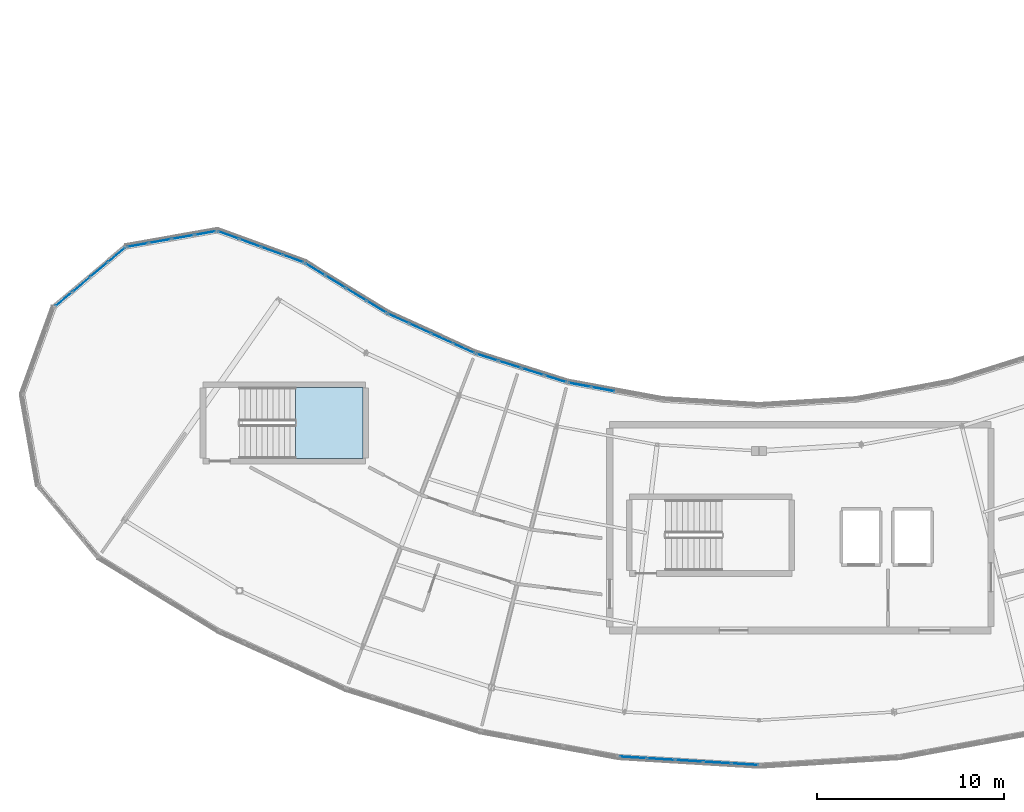
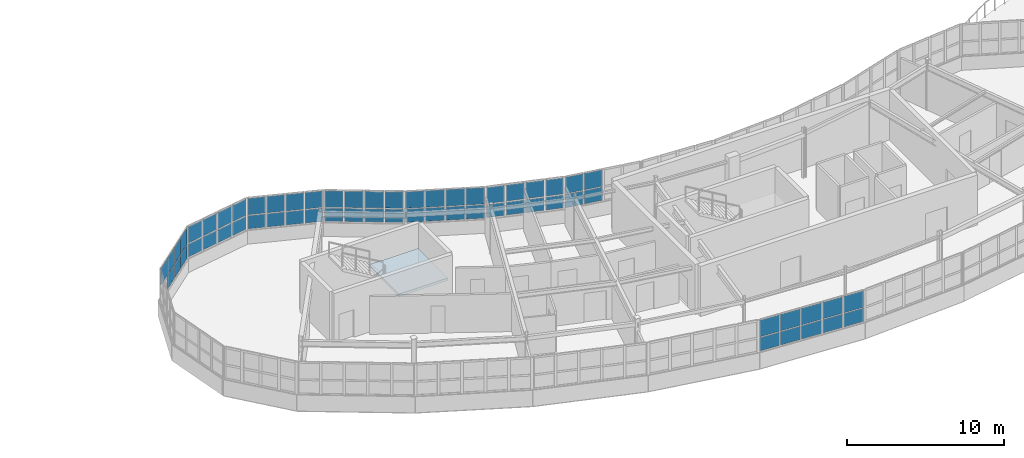
# One storey, part 37 of 65: 61 plates, 1 slab, 9 elements without a shape of their own.
"""IFC4 building model written with IfcOpenShell, lengths in metres."""

from ifc_helpers import new_model, si_unit, direction, frame, origin, origin_2d, place, context, subcontext, project, spatial, polyline, rectangle, outline, extrude, material, layer, layer_set, type_object, element, aggregate, save


model = new_model("IFC4")

# Units and contexts
model_context = context("Model", 3, precision=1e-05, world=origin(), true_north=direction((0.0, 1.0)))
body_context = subcontext(model_context, "Body", "Model", "MODEL_VIEW")
ifc_project = project(units=[si_unit("LENGTHUNIT", "METRE"), si_unit("AREAUNIT", "SQUARE_METRE"), si_unit("VOLUMEUNIT", "CUBIC_METRE"), si_unit("PLANEANGLEUNIT", "RADIAN"), si_unit("MASSUNIT", "GRAM", prefix="KILO")], contexts=[model_context])

# Site, building, storey
site_placement = place(None, origin())
site = spatial("IfcSite", under=ifc_project, at=site_placement, CompositionType="ELEMENT")
building_placement = place(site_placement, origin())
building = spatial("IfcBuilding", under=site, at=building_placement, Name="Tarnwether General Hospital", CompositionType="ELEMENT")
storey_placement = place(building_placement, frame((0.0, 0.0, 22.199951171875)))
storey = spatial("IfcBuildingStorey", under=building, at=storey_placement, Name="L05", CompositionType="ELEMENT", Elevation=22.199951171875)

# Curtain wall, plates
ifc_material_1 = material(Name="Anodised aluminium", Category="aluminium")
ifc_layer_1 = layer(ifc_material_1, 0.159912109375)
ifc_layer_set_1 = layer_set([ifc_layer_1], Name="Anodised aluminium")
curtain_wall_type_1 = type_object("IfcCurtainWallType", Name="CW-10", PredefinedType="NOTDEFINED", material=ifc_layer_set_1)
curtain_wall_1_placement = place(storey_placement, origin())
curtain_wall_1 = element("IfcCurtainWall", 1, at=curtain_wall_1_placement, inside=storey, type_object=curtain_wall_type_1, Name="Curtain Wall CWG-L05-920_14-0222", PredefinedType="NOTDEFINED")
ifc_material_2 = material(Name="Double glazed low-E glass", Category="glass")
ifc_layer_2 = layer(ifc_material_2, 0.028076171875)
ifc_layer_set_2 = layer_set([ifc_layer_2], Name="Double glazed low-E glass")
plate_type_1 = type_object("IfcPlateType", Name="PT-CWP1", PredefinedType="CURTAIN_PANEL", material=ifc_layer_set_2)
plate_1_placement = place(storey_placement, frame((91.234375, 1.44677734375, 1.110107421875), z_axis=(0.0, 0.0, 1.0), x_axis=(-0.998135995608, 0.061028962567, 0.0)))
plate_1 = element("IfcPlate", 2, at=plate_1_placement, type_object=plate_type_1, Name="CW-10 panel 1.1", PredefinedType="CURTAIN_PANEL", context=body_context, shape_type="SweptSolid", body=[
    extrude(rectangle(XDim=1.414306640625, YDim=0.028076171875, at=origin_2d()), origin(), (0.0, 0.0, 1.0), 1.03955078125),
])
plate_2_placement = place(storey_placement, frame((91.234375, 1.44677734375, 2.20947265625), z_axis=(0.0, 0.0, 1.0), x_axis=(-0.998135995608, 0.061028962567, 0.0)))
plate_2 = element("IfcPlate", 3, at=plate_2_placement, type_object=plate_type_1, Name="CW-10 panel 1.2", PredefinedType="CURTAIN_PANEL", context=body_context, shape_type="SweptSolid", body=[
    extrude(rectangle(XDim=1.414306640625, YDim=0.028076171875, at=origin_2d()), origin(), (0.0, 0.0, 1.0), 1.29052734375),
])
plate_3_placement = place(storey_placement, frame((89.747802734375, 1.53759765625, 1.110107421875), z_axis=(0.0, 0.0, 1.0), x_axis=(-0.998135995608, 0.061028962567, 0.0)))
plate_3 = element("IfcPlate", 4, at=plate_3_placement, type_object=plate_type_1, Name="CW-10 panel 2.1", PredefinedType="CURTAIN_PANEL", context=body_context, shape_type="SweptSolid", body=[
    extrude(rectangle(XDim=1.444091796875, YDim=0.028076171875, at=origin_2d()), origin(), (0.0, 0.0, 1.0), 1.03955078125),
])
plate_4_placement = place(storey_placement, frame((89.747802734375, 1.53759765625, 2.20947265625), z_axis=(0.0, 0.0, 1.0), x_axis=(-0.998135995608, 0.061028962567, 0.0)))
plate_4 = element("IfcPlate", 5, at=plate_4_placement, type_object=plate_type_1, Name="CW-10 panel 2.2", PredefinedType="CURTAIN_PANEL", context=body_context, shape_type="SweptSolid", body=[
    extrude(rectangle(XDim=1.444091796875, YDim=0.028076171875, at=origin_2d()), origin(), (0.0, 0.0, 1.0), 1.29052734375),
])
plate_5_placement = place(storey_placement, frame((88.24658203125, 1.62939453125, 1.110107421875), z_axis=(0.0, 0.0, 1.0), x_axis=(-0.998135995608, 0.061028962567, 0.0)))
plate_5 = element("IfcPlate", 6, at=plate_5_placement, type_object=plate_type_1, Name="CW-10 panel 3.1", PredefinedType="CURTAIN_PANEL", context=body_context, shape_type="SweptSolid", body=[
    extrude(rectangle(XDim=1.444091796875, YDim=0.028076171875, at=origin_2d()), origin(), (0.0, 0.0, 1.0), 1.03955078125),
])
plate_6_placement = place(storey_placement, frame((88.24658203125, 1.62939453125, 2.20947265625), z_axis=(0.0, 0.0, 1.0), x_axis=(-0.998135995608, 0.061028962567, 0.0)))
plate_6 = element("IfcPlate", 7, at=plate_6_placement, type_object=plate_type_1, Name="CW-10 panel 3.2", PredefinedType="CURTAIN_PANEL", context=body_context, shape_type="SweptSolid", body=[
    extrude(rectangle(XDim=1.444091796875, YDim=0.028076171875, at=origin_2d()), origin(), (0.0, 0.0, 1.0), 1.29052734375),
])
plate_7_placement = place(storey_placement, frame((86.7451171875, 1.72119140625, 1.110107421875), z_axis=(0.0, 0.0, 1.0), x_axis=(-0.998135995608, 0.061028962567, 0.0)))
plate_7 = element("IfcPlate", 8, at=plate_7_placement, type_object=plate_type_1, Name="CW-10 panel 4.1", PredefinedType="CURTAIN_PANEL", context=body_context, shape_type="SweptSolid", body=[
    extrude(rectangle(XDim=1.444091796875, YDim=0.028076171875, at=origin_2d()), origin(), (0.0, 0.0, 1.0), 1.03955078125),
])
plate_8_placement = place(storey_placement, frame((86.7451171875, 1.72119140625, 2.20947265625), z_axis=(0.0, 0.0, 1.0), x_axis=(-0.998135995608, 0.061028962567, 0.0)))
plate_8 = element("IfcPlate", 9, at=plate_8_placement, type_object=plate_type_1, Name="CW-10 panel 4.2", PredefinedType="CURTAIN_PANEL", context=body_context, shape_type="SweptSolid", body=[
    extrude(rectangle(XDim=1.444091796875, YDim=0.028076171875, at=origin_2d()), origin(), (0.0, 0.0, 1.0), 1.29052734375),
])
plate_9_placement = place(storey_placement, frame((85.2587890625, 1.812255859375, 1.110107421875), z_axis=(0.0, 0.0, 1.0), x_axis=(-0.998135995608, 0.061028962567, 0.0)))
plate_9 = element("IfcPlate", 10, at=plate_9_placement, type_object=plate_type_1, Name="CW-10 panel 5.1", PredefinedType="CURTAIN_PANEL", context=body_context, shape_type="SweptSolid", body=[
    extrude(rectangle(XDim=1.414306640625, YDim=0.028076171875, at=origin_2d()), origin(), (0.0, 0.0, 1.0), 1.03955078125),
])
plate_10_placement = place(storey_placement, frame((85.2587890625, 1.812255859375, 2.20947265625), z_axis=(0.0, 0.0, 1.0), x_axis=(-0.998135995608, 0.061028962567, 0.0)))
plate_10 = element("IfcPlate", 11, at=plate_10_placement, type_object=plate_type_1, Name="CW-10 panel 5.2", PredefinedType="CURTAIN_PANEL", context=body_context, shape_type="SweptSolid", body=[
    extrude(rectangle(XDim=1.414306640625, YDim=0.028076171875, at=origin_2d()), origin(), (0.0, 0.0, 1.0), 1.29052734375),
])
aggregate(curtain_wall_1, [plate_1, plate_2, plate_3, plate_4, plate_5, plate_6, plate_7, plate_8, plate_9, plate_10])

ifc_material_3 = material(Name="Anodised aluminium", Category="aluminium")
ifc_layer_3 = layer(ifc_material_3, 0.159912109375)
ifc_layer_set_3 = layer_set([ifc_layer_3], Name="Anodised aluminium")
curtain_wall_type_2 = type_object("IfcCurtainWallType", Name="CW-04", PredefinedType="NOTDEFINED", material=ifc_layer_set_3)
curtain_wall_2_placement = place(storey_placement, origin())
curtain_wall_2 = element("IfcCurtainWall", 12, at=curtain_wall_2_placement, inside=storey, type_object=curtain_wall_type_2, Name="Curtain Wall CWG-L05-768_234-0236", PredefinedType="NOTDEFINED")
plate_11_placement = place(storey_placement, frame((77.44140625, 23.21533203125, 1.1298828125), z_axis=(0.0, 0.0, 1.0), x_axis=(0.953713927508, -0.30071538783, 0.0)))
plate_11 = element("IfcPlate", 13, at=plate_11_placement, type_object=plate_type_1, Name="CW-04 panel 1.1", PredefinedType="CURTAIN_PANEL", context=body_context, shape_type="SweptSolid", body=[
    extrude(rectangle(XDim=1.17431640625, YDim=0.028076171875, at=origin_2d()), origin(), (0.0, 0.0, 1.0), 1.009521484375),
])
plate_12_placement = place(storey_placement, frame((77.44140625, 23.21533203125, 2.2197265625), z_axis=(0.0, 0.0, 1.0), x_axis=(0.953713927508, -0.30071538783, 0.0)))
plate_12 = element("IfcPlate", 14, at=plate_12_placement, type_object=plate_type_1, Name="CW-04 panel 1.2", PredefinedType="CURTAIN_PANEL", context=body_context, shape_type="SweptSolid", body=[
    extrude(rectangle(XDim=1.17431640625, YDim=0.028076171875, at=origin_2d()), origin(), (0.0, 0.0, 1.0), 1.260498046875),
])
plate_13_placement = place(storey_placement, frame((78.65673828125, 22.83203125, 1.1298828125), z_axis=(0.0, 0.0, 1.0), x_axis=(0.953713927508, -0.30071538783, 0.0)))
plate_13 = element("IfcPlate", 15, at=plate_13_placement, type_object=plate_type_1, Name="CW-04 panel 2.1", PredefinedType="CURTAIN_PANEL", context=body_context, shape_type="SweptSolid", body=[
    extrude(rectangle(XDim=1.21435546875, YDim=0.028076171875, at=origin_2d()), origin(), (0.0, 0.0, 1.0), 1.009521484375),
])
plate_14_placement = place(storey_placement, frame((78.65673828125, 22.83203125, 2.2197265625), z_axis=(0.0, 0.0, 1.0), x_axis=(0.953713927508, -0.30071538783, 0.0)))
plate_14 = element("IfcPlate", 16, at=plate_14_placement, type_object=plate_type_1, Name="CW-04 panel 2.2", PredefinedType="CURTAIN_PANEL", context=body_context, shape_type="SweptSolid", body=[
    extrude(rectangle(XDim=1.21435546875, YDim=0.028076171875, at=origin_2d()), origin(), (0.0, 0.0, 1.0), 1.260498046875),
])
plate_15_placement = place(storey_placement, frame((79.891357421875, 22.44287109375, 1.1298828125), z_axis=(0.0, 0.0, 1.0), x_axis=(0.953713927508, -0.30071538783, 0.0)))
plate_15 = element("IfcPlate", 17, at=plate_15_placement, type_object=plate_type_1, Name="CW-04 panel 3.1", PredefinedType="CURTAIN_PANEL", context=body_context, shape_type="SweptSolid", body=[
    extrude(rectangle(XDim=1.21435546875, YDim=0.028076171875, at=origin_2d()), origin(), (0.0, 0.0, 1.0), 1.009521484375),
])
plate_16_placement = place(storey_placement, frame((79.891357421875, 22.44287109375, 2.2197265625), z_axis=(0.0, 0.0, 1.0), x_axis=(0.953713927508, -0.30071538783, 0.0)))
plate_16 = element("IfcPlate", 18, at=plate_16_placement, type_object=plate_type_1, Name="CW-04 panel 3.2", PredefinedType="CURTAIN_PANEL", context=body_context, shape_type="SweptSolid", body=[
    extrude(rectangle(XDim=1.21435546875, YDim=0.028076171875, at=origin_2d()), origin(), (0.0, 0.0, 1.0), 1.260498046875),
])
plate_17_placement = place(storey_placement, frame((81.106689453125, 22.0595703125, 1.1298828125), z_axis=(0.0, 0.0, 1.0), x_axis=(0.953713927508, -0.30071538783, 0.0)))
plate_17 = element("IfcPlate", 19, at=plate_17_placement, type_object=plate_type_1, Name="CW-04 panel 4.1", PredefinedType="CURTAIN_PANEL", context=body_context, shape_type="SweptSolid", body=[
    extrude(rectangle(XDim=1.17431640625, YDim=0.028076171875, at=origin_2d()), origin(), (0.0, 0.0, 1.0), 1.009521484375),
])
plate_18_placement = place(storey_placement, frame((81.106689453125, 22.0595703125, 2.2197265625), z_axis=(0.0, 0.0, 1.0), x_axis=(0.953713927508, -0.30071538783, 0.0)))
plate_18 = element("IfcPlate", 20, at=plate_18_placement, type_object=plate_type_1, Name="CW-04 panel 4.2", PredefinedType="CURTAIN_PANEL", context=body_context, shape_type="SweptSolid", body=[
    extrude(rectangle(XDim=1.17431640625, YDim=0.028076171875, at=origin_2d()), origin(), (0.0, 0.0, 1.0), 1.260498046875),
])
aggregate(curtain_wall_2, [plate_11, plate_12, plate_13, plate_14, plate_15, plate_16, plate_17, plate_18])

curtain_wall_3_placement = place(storey_placement, origin())
curtain_wall_3 = element("IfcCurtainWall", 21, at=curtain_wall_3_placement, inside=storey, type_object=curtain_wall_type_2, Name="Curtain Wall CWG-L05-721_256-0237", PredefinedType="NOTDEFINED")
plate_19_placement = place(storey_placement, frame((72.696533203125, 25.288330078125, 1.110107421875), z_axis=(0.0, 0.0, 1.0), x_axis=(0.90995590549, -0.41470501572, 0.0)))
plate_19 = element("IfcPlate", 22, at=plate_19_placement, type_object=plate_type_1, Name="CW-04 panel 1.1", PredefinedType="CURTAIN_PANEL", context=body_context, shape_type="SweptSolid", body=[
    extrude(rectangle(XDim=1.204345703125, YDim=0.028076171875, at=origin_2d()), origin(), (0.0, 0.0, 1.0), 1.03955078125),
])
plate_20_placement = place(storey_placement, frame((72.696533203125, 25.288330078125, 2.20947265625), z_axis=(0.0, 0.0, 1.0), x_axis=(0.90995590549, -0.41470501572, 0.0)))
plate_20 = element("IfcPlate", 23, at=plate_20_placement, type_object=plate_type_1, Name="CW-04 panel 1.2", PredefinedType="CURTAIN_PANEL", context=body_context, shape_type="SweptSolid", body=[
    extrude(rectangle(XDim=1.204345703125, YDim=0.028076171875, at=origin_2d()), origin(), (0.0, 0.0, 1.0), 1.29052734375),
])
plate_21_placement = place(storey_placement, frame((73.860595703125, 24.7578125, 1.110107421875), z_axis=(0.0, 0.0, 1.0), x_axis=(0.90995590549, -0.41470501572, 0.0)))
plate_21 = element("IfcPlate", 24, at=plate_21_placement, type_object=plate_type_1, Name="CW-04 panel 2.1", PredefinedType="CURTAIN_PANEL", context=body_context, shape_type="SweptSolid", body=[
    extrude(rectangle(XDim=1.234375, YDim=0.028076171875, at=origin_2d()), origin(), (0.0, 0.0, 1.0), 1.03955078125),
])
plate_22_placement = place(storey_placement, frame((73.860595703125, 24.7578125, 2.20947265625), z_axis=(0.0, 0.0, 1.0), x_axis=(0.90995590549, -0.41470501572, 0.0)))
plate_22 = element("IfcPlate", 25, at=plate_22_placement, type_object=plate_type_1, Name="CW-04 panel 2.2", PredefinedType="CURTAIN_PANEL", context=body_context, shape_type="SweptSolid", body=[
    extrude(rectangle(XDim=1.234375, YDim=0.028076171875, at=origin_2d()), origin(), (0.0, 0.0, 1.0), 1.29052734375),
])
plate_23_placement = place(storey_placement, frame((75.038330078125, 24.22119140625, 1.110107421875), z_axis=(0.0, 0.0, 1.0), x_axis=(0.90995590549, -0.41470501572, 0.0)))
plate_23 = element("IfcPlate", 26, at=plate_23_placement, type_object=plate_type_1, Name="CW-04 panel 3.1", PredefinedType="CURTAIN_PANEL", context=body_context, shape_type="SweptSolid", body=[
    extrude(rectangle(XDim=1.234375, YDim=0.028076171875, at=origin_2d()), origin(), (0.0, 0.0, 1.0), 1.03955078125),
])
plate_24_placement = place(storey_placement, frame((75.038330078125, 24.22119140625, 2.20947265625), z_axis=(0.0, 0.0, 1.0), x_axis=(0.90995590549, -0.41470501572, 0.0)))
plate_24 = element("IfcPlate", 27, at=plate_24_placement, type_object=plate_type_1, Name="CW-04 panel 3.2", PredefinedType="CURTAIN_PANEL", context=body_context, shape_type="SweptSolid", body=[
    extrude(rectangle(XDim=1.234375, YDim=0.028076171875, at=origin_2d()), origin(), (0.0, 0.0, 1.0), 1.29052734375),
])
plate_25_placement = place(storey_placement, frame((76.202392578125, 23.690673828125, 1.110107421875), z_axis=(0.0, 0.0, 1.0), x_axis=(0.90995590549, -0.41470501572, 0.0)))
plate_25 = element("IfcPlate", 28, at=plate_25_placement, type_object=plate_type_1, Name="CW-04 panel 4.1", PredefinedType="CURTAIN_PANEL", context=body_context, shape_type="SweptSolid", body=[
    extrude(rectangle(XDim=1.204345703125, YDim=0.028076171875, at=origin_2d()), origin(), (0.0, 0.0, 1.0), 1.03955078125),
])
plate_26_placement = place(storey_placement, frame((76.202392578125, 23.690673828125, 2.20947265625), z_axis=(0.0, 0.0, 1.0), x_axis=(0.90995590549, -0.41470501572, 0.0)))
plate_26 = element("IfcPlate", 29, at=plate_26_placement, type_object=plate_type_1, Name="CW-04 panel 4.2", PredefinedType="CURTAIN_PANEL", context=body_context, shape_type="SweptSolid", body=[
    extrude(rectangle(XDim=1.204345703125, YDim=0.028076171875, at=origin_2d()), origin(), (0.0, 0.0, 1.0), 1.29052734375),
])
aggregate(curtain_wall_3, [plate_19, plate_20, plate_21, plate_22, plate_23, plate_24, plate_25, plate_26])

curtain_wall_4_placement = place(storey_placement, origin())
curtain_wall_4 = element("IfcCurtainWall", 30, at=curtain_wall_4_placement, inside=storey, type_object=curtain_wall_type_2, Name="Curtain Wall CWG-L05-630_300-0239", PredefinedType="NOTDEFINED")
plate_27_placement = place(storey_placement, frame((63.60986328125, 29.75, 1.115234375), z_axis=(0.0, 0.0, 1.0), x_axis=(0.939652319163, -0.342130850834, 0.0)))
plate_27 = element("IfcPlate", 31, at=plate_27_placement, type_object=plate_type_1, Name="CW-04 panel 1.1", PredefinedType="CURTAIN_PANEL", context=body_context, shape_type="SweptSolid", body=[
    extrude(rectangle(XDim=1.144775390625, YDim=0.028076171875, at=origin_2d()), origin(), (0.0, 0.0, 1.0), 1.031982421875),
])
plate_28_placement = place(storey_placement, frame((63.60986328125, 29.75, 2.2119140625), z_axis=(0.0, 0.0, 1.0), x_axis=(0.939652319163, -0.342130850834, 0.0)))
plate_28 = element("IfcPlate", 32, at=plate_28_placement, type_object=plate_type_1, Name="CW-04 panel 1.2", PredefinedType="CURTAIN_PANEL", context=body_context, shape_type="SweptSolid", body=[
    extrude(rectangle(XDim=1.144775390625, YDim=0.028076171875, at=origin_2d()), origin(), (0.0, 0.0, 1.0), 1.282958984375),
])
plate_29_placement = place(storey_placement, frame((64.761962890625, 29.33056640625, 1.115234375), z_axis=(0.0, 0.0, 1.0), x_axis=(0.939652319163, -0.342130850834, 0.0)))
plate_29 = element("IfcPlate", 33, at=plate_29_placement, type_object=plate_type_1, Name="CW-04 panel 2.1", PredefinedType="CURTAIN_PANEL", context=body_context, shape_type="SweptSolid", body=[
    extrude(rectangle(XDim=1.17724609375, YDim=0.028076171875, at=origin_2d()), origin(), (0.0, 0.0, 1.0), 1.031982421875),
])
plate_30_placement = place(storey_placement, frame((64.761962890625, 29.33056640625, 2.2119140625), z_axis=(0.0, 0.0, 1.0), x_axis=(0.939652319163, -0.342130850834, 0.0)))
plate_30 = element("IfcPlate", 34, at=plate_30_placement, type_object=plate_type_1, Name="CW-04 panel 2.2", PredefinedType="CURTAIN_PANEL", context=body_context, shape_type="SweptSolid", body=[
    extrude(rectangle(XDim=1.17724609375, YDim=0.028076171875, at=origin_2d()), origin(), (0.0, 0.0, 1.0), 1.282958984375),
])
plate_31_placement = place(storey_placement, frame((65.92919921875, 28.905517578125, 1.115234375), z_axis=(0.0, 0.0, 1.0), x_axis=(0.939652319163, -0.342130850834, 0.0)))
plate_31 = element("IfcPlate", 35, at=plate_31_placement, type_object=plate_type_1, Name="CW-04 panel 3.1", PredefinedType="CURTAIN_PANEL", context=body_context, shape_type="SweptSolid", body=[
    extrude(rectangle(XDim=1.17724609375, YDim=0.028076171875, at=origin_2d()), origin(), (0.0, 0.0, 1.0), 1.031982421875),
])
plate_32_placement = place(storey_placement, frame((65.92919921875, 28.905517578125, 2.2119140625), z_axis=(0.0, 0.0, 1.0), x_axis=(0.939652319163, -0.342130850834, 0.0)))
plate_32 = element("IfcPlate", 36, at=plate_32_placement, type_object=plate_type_1, Name="CW-04 panel 3.2", PredefinedType="CURTAIN_PANEL", context=body_context, shape_type="SweptSolid", body=[
    extrude(rectangle(XDim=1.17724609375, YDim=0.028076171875, at=origin_2d()), origin(), (0.0, 0.0, 1.0), 1.282958984375),
])
plate_33_placement = place(storey_placement, frame((67.0810546875, 28.486083984375, 1.115234375), z_axis=(0.0, 0.0, 1.0), x_axis=(0.939652319163, -0.342130850834, 0.0)))
plate_33 = element("IfcPlate", 37, at=plate_33_placement, type_object=plate_type_1, Name="CW-04 panel 4.1", PredefinedType="CURTAIN_PANEL", context=body_context, shape_type="SweptSolid", body=[
    extrude(rectangle(XDim=1.144775390625, YDim=0.028076171875, at=origin_2d()), origin(), (0.0, 0.0, 1.0), 1.031982421875),
])
plate_34_placement = place(storey_placement, frame((67.0810546875, 28.486083984375, 2.2119140625), z_axis=(0.0, 0.0, 1.0), x_axis=(0.939652319163, -0.342130850834, 0.0)))
plate_34 = element("IfcPlate", 38, at=plate_34_placement, type_object=plate_type_1, Name="CW-04 panel 4.2", PredefinedType="CURTAIN_PANEL", context=body_context, shape_type="SweptSolid", body=[
    extrude(rectangle(XDim=1.144775390625, YDim=0.028076171875, at=origin_2d()), origin(), (0.0, 0.0, 1.0), 1.282958984375),
])
aggregate(curtain_wall_4, [plate_27, plate_28, plate_29, plate_30, plate_31, plate_32, plate_33, plate_34])

curtain_wall_5_placement = place(storey_placement, origin())
curtain_wall_5 = element("IfcCurtainWall", 39, at=curtain_wall_5_placement, inside=storey, type_object=curtain_wall_type_2, Name="Curtain Wall CWG-L05-581_291-0240", PredefinedType="NOTDEFINED")
plate_35_placement = place(storey_placement, frame((58.74853515625, 29.21630859375, 1.1298828125), z_axis=(0.0, 0.0, 1.0), x_axis=(0.984805834268, 0.173659059054, 0.0)))
plate_35 = element("IfcPlate", 40, at=plate_35_placement, type_object=plate_type_1, Name="CW-04 panel 1.1", PredefinedType="CURTAIN_PANEL", context=body_context, shape_type="SweptSolid", body=[
    extrude(rectangle(XDim=1.122314453125, YDim=0.028076171875, at=origin_2d()), origin(), (0.0, 0.0, 1.0), 1.009521484375),
])
plate_36_placement = place(storey_placement, frame((58.74853515625, 29.21630859375, 2.2197265625), z_axis=(0.0, 0.0, 1.0), x_axis=(0.984805834268, 0.173659059054, 0.0)))
plate_36 = element("IfcPlate", 41, at=plate_36_placement, type_object=plate_type_1, Name="CW-04 panel 1.2", PredefinedType="CURTAIN_PANEL", context=body_context, shape_type="SweptSolid", body=[
    extrude(rectangle(XDim=1.122314453125, YDim=0.028076171875, at=origin_2d()), origin(), (0.0, 0.0, 1.0), 1.260498046875),
])
plate_37_placement = place(storey_placement, frame((59.9521484375, 29.4287109375, 1.1298828125), z_axis=(0.0, 0.0, 1.0), x_axis=(0.984805834268, 0.173659059054, 0.0)))
plate_37 = element("IfcPlate", 42, at=plate_37_placement, type_object=plate_type_1, Name="CW-04 panel 2.1", PredefinedType="CURTAIN_PANEL", context=body_context, shape_type="SweptSolid", body=[
    extrude(rectangle(XDim=1.162353515625, YDim=0.028076171875, at=origin_2d()), origin(), (0.0, 0.0, 1.0), 1.009521484375),
])
plate_38_placement = place(storey_placement, frame((59.9521484375, 29.4287109375, 2.2197265625), z_axis=(0.0, 0.0, 1.0), x_axis=(0.984805834268, 0.173659059054, 0.0)))
plate_38 = element("IfcPlate", 43, at=plate_38_placement, type_object=plate_type_1, Name="CW-04 panel 2.2", PredefinedType="CURTAIN_PANEL", context=body_context, shape_type="SweptSolid", body=[
    extrude(rectangle(XDim=1.162353515625, YDim=0.028076171875, at=origin_2d()), origin(), (0.0, 0.0, 1.0), 1.260498046875),
])
plate_39_placement = place(storey_placement, frame((61.17578125, 29.644287109375, 1.1298828125), z_axis=(0.0, 0.0, 1.0), x_axis=(0.984805834268, 0.173659059054, 0.0)))
plate_39 = element("IfcPlate", 44, at=plate_39_placement, type_object=plate_type_1, Name="CW-04 panel 3.1", PredefinedType="CURTAIN_PANEL", context=body_context, shape_type="SweptSolid", body=[
    extrude(rectangle(XDim=1.162353515625, YDim=0.028076171875, at=origin_2d()), origin(), (0.0, 0.0, 1.0), 1.009521484375),
])
plate_40_placement = place(storey_placement, frame((61.17578125, 29.644287109375, 2.2197265625), z_axis=(0.0, 0.0, 1.0), x_axis=(0.984805834268, 0.173659059054, 0.0)))
plate_40 = element("IfcPlate", 45, at=plate_40_placement, type_object=plate_type_1, Name="CW-04 panel 3.2", PredefinedType="CURTAIN_PANEL", context=body_context, shape_type="SweptSolid", body=[
    extrude(rectangle(XDim=1.162353515625, YDim=0.028076171875, at=origin_2d()), origin(), (0.0, 0.0, 1.0), 1.260498046875),
])
plate_41_placement = place(storey_placement, frame((62.379638671875, 29.856689453125, 1.1298828125), z_axis=(0.0, 0.0, 1.0), x_axis=(0.984805834268, 0.173659059054, 0.0)))
plate_41 = element("IfcPlate", 46, at=plate_41_placement, type_object=plate_type_1, Name="CW-04 panel 4.1", PredefinedType="CURTAIN_PANEL", context=body_context, shape_type="SweptSolid", body=[
    extrude(rectangle(XDim=1.122314453125, YDim=0.028076171875, at=origin_2d()), origin(), (0.0, 0.0, 1.0), 1.009521484375),
])
plate_42_placement = place(storey_placement, frame((62.379638671875, 29.856689453125, 2.2197265625), z_axis=(0.0, 0.0, 1.0), x_axis=(0.984805834268, 0.173659059054, 0.0)))
plate_42 = element("IfcPlate", 47, at=plate_42_placement, type_object=plate_type_1, Name="CW-04 panel 4.2", PredefinedType="CURTAIN_PANEL", context=body_context, shape_type="SweptSolid", body=[
    extrude(rectangle(XDim=1.122314453125, YDim=0.028076171875, at=origin_2d()), origin(), (0.0, 0.0, 1.0), 1.260498046875),
])
aggregate(curtain_wall_5, [plate_35, plate_36, plate_37, plate_38, plate_39, plate_40, plate_41, plate_42])

curtain_wall_6_placement = place(storey_placement, origin())
curtain_wall_6 = element("IfcCurtainWall", 48, at=curtain_wall_6_placement, inside=storey, type_object=curtain_wall_type_2, Name="Curtain Wall CWG-L05-817_219-0235", PredefinedType="NOTDEFINED")
ifc_material_4 = material(Name="Double glazed low-E glass", Category="glass")
ifc_layer_4 = layer(ifc_material_4, 0.035888671875)
ifc_layer_set_4 = layer_set([ifc_layer_4], Name="Double glazed low-E glass")
plate_type_2 = type_object("IfcPlateType", Name="PT-CWP2", PredefinedType="CURTAIN_PANEL", material=ifc_layer_set_4)
plate_43_placement = place(storey_placement, frame((82.395263671875, 21.73828125, 1.115234375), z_axis=(0.0, 0.0, 1.0), x_axis=(0.983267910924, -0.182165351666, 0.0)))
plate_43 = element("IfcPlate", 49, at=plate_43_placement, type_object=plate_type_2, Name="CW-04 panel 1.1", PredefinedType="CURTAIN_PANEL", context=body_context, shape_type="SweptSolid", body=[
    extrude(rectangle(XDim=1.196533203125, YDim=0.035888671875, at=origin_2d()), origin(), (0.0, 0.0, 1.0), 1.031982421875),
])
plate_44_placement = place(storey_placement, frame((82.395263671875, 21.73828125, 2.2119140625), z_axis=(0.0, 0.0, 1.0), x_axis=(0.983267910924, -0.182165351666, 0.0)))
plate_44 = element("IfcPlate", 50, at=plate_44_placement, type_object=plate_type_2, Name="CW-04 panel 1.2", PredefinedType="CURTAIN_PANEL", context=body_context, shape_type="SweptSolid", body=[
    extrude(rectangle(XDim=1.196533203125, YDim=0.035888671875, at=origin_2d()), origin(), (0.0, 0.0, 1.0), 1.282958984375),
])
plate_45_placement = place(storey_placement, frame((83.65185546875, 21.50537109375, 1.115234375), z_axis=(0.0, 0.0, 1.0), x_axis=(0.983267910924, -0.182165351666, 0.0)))
plate_45 = element("IfcPlate", 51, at=plate_45_placement, type_object=plate_type_2, Name="CW-04 panel 2.1", PredefinedType="CURTAIN_PANEL", context=body_context, shape_type="SweptSolid", body=[
    extrude(rectangle(XDim=1.229248046875, YDim=0.035888671875, at=origin_2d()), origin(), (0.0, 0.0, 1.0), 1.031982421875),
])
plate_46_placement = place(storey_placement, frame((83.65185546875, 21.50537109375, 2.2119140625), z_axis=(0.0, 0.0, 1.0), x_axis=(0.983267910924, -0.182165351666, 0.0)))
plate_46 = element("IfcPlate", 52, at=plate_46_placement, type_object=plate_type_2, Name="CW-04 panel 2.2", PredefinedType="CURTAIN_PANEL", context=body_context, shape_type="SweptSolid", body=[
    extrude(rectangle(XDim=1.229248046875, YDim=0.035888671875, at=origin_2d()), origin(), (0.0, 0.0, 1.0), 1.282958984375),
])
aggregate(curtain_wall_6, [plate_43, plate_44, plate_45, plate_46])

curtain_wall_7_placement = place(storey_placement, origin())
curtain_wall_7 = element("IfcCurtainWall", 53, at=curtain_wall_7_placement, inside=storey, type_object=curtain_wall_type_2, Name="Curtain Wall CWG-L05-677_283-0238", PredefinedType="NOTDEFINED")
plate_47_placement = place(storey_placement, frame((68.24658203125, 27.920654296875, 1.1201171875), z_axis=(0.0, 0.0, 1.0), x_axis=(0.852631789198, -0.522512231483, 0.0)))
plate_47 = element("IfcPlate", 54, at=plate_47_placement, type_object=plate_type_2, Name="CW-04 panel 1.1", PredefinedType="CURTAIN_PANEL", context=body_context, shape_type="SweptSolid", body=[
    extrude(rectangle(XDim=1.189208984375, YDim=0.035888671875, at=origin_2d()), origin(), (0.0, 0.0, 1.0), 1.0244140625),
])
plate_48_placement = place(storey_placement, frame((68.24658203125, 27.920654296875, 2.214599609375), z_axis=(0.0, 0.0, 1.0), x_axis=(0.852631789198, -0.522512231483, 0.0)))
plate_48 = element("IfcPlate", 55, at=plate_48_placement, type_object=plate_type_2, Name="CW-04 panel 1.2", PredefinedType="CURTAIN_PANEL", context=body_context, shape_type="SweptSolid", body=[
    extrude(rectangle(XDim=1.189208984375, YDim=0.035888671875, at=origin_2d()), origin(), (0.0, 0.0, 1.0), 1.275390625),
])
plate_49_placement = place(storey_placement, frame((69.335205078125, 27.253662109375, 1.1201171875), z_axis=(0.0, 0.0, 1.0), x_axis=(0.852631789198, -0.522512231483, 0.0)))
plate_49 = element("IfcPlate", 56, at=plate_49_placement, type_object=plate_type_2, Name="CW-04 panel 2.1", PredefinedType="CURTAIN_PANEL", context=body_context, shape_type="SweptSolid", body=[
    extrude(rectangle(XDim=1.22412109375, YDim=0.035888671875, at=origin_2d()), origin(), (0.0, 0.0, 1.0), 1.0244140625),
])
plate_50_placement = place(storey_placement, frame((69.335205078125, 27.253662109375, 2.214599609375), z_axis=(0.0, 0.0, 1.0), x_axis=(0.852631789198, -0.522512231483, 0.0)))
plate_50 = element("IfcPlate", 57, at=plate_50_placement, type_object=plate_type_2, Name="CW-04 panel 2.2", PredefinedType="CURTAIN_PANEL", context=body_context, shape_type="SweptSolid", body=[
    extrude(rectangle(XDim=1.22412109375, YDim=0.035888671875, at=origin_2d()), origin(), (0.0, 0.0, 1.0), 1.275390625),
])
plate_51_placement = place(storey_placement, frame((70.438720703125, 26.577392578125, 1.1201171875), z_axis=(0.0, 0.0, 1.0), x_axis=(0.852631789198, -0.522512231483, 0.0)))
plate_51 = element("IfcPlate", 58, at=plate_51_placement, type_object=plate_type_2, Name="CW-04 panel 3.1", PredefinedType="CURTAIN_PANEL", context=body_context, shape_type="SweptSolid", body=[
    extrude(rectangle(XDim=1.22412109375, YDim=0.035888671875, at=origin_2d()), origin(), (0.0, 0.0, 1.0), 1.0244140625),
])
plate_52_placement = place(storey_placement, frame((70.438720703125, 26.577392578125, 2.214599609375), z_axis=(0.0, 0.0, 1.0), x_axis=(0.852631789198, -0.522512231483, 0.0)))
plate_52 = element("IfcPlate", 59, at=plate_52_placement, type_object=plate_type_2, Name="CW-04 panel 3.2", PredefinedType="CURTAIN_PANEL", context=body_context, shape_type="SweptSolid", body=[
    extrude(rectangle(XDim=1.22412109375, YDim=0.035888671875, at=origin_2d()), origin(), (0.0, 0.0, 1.0), 1.275390625),
])
plate_53_placement = place(storey_placement, frame((71.52734375, 25.91015625, 1.1201171875), z_axis=(0.0, 0.0, 1.0), x_axis=(0.852631789198, -0.522512231483, 0.0)))
plate_53 = element("IfcPlate", 60, at=plate_53_placement, type_object=plate_type_2, Name="CW-04 panel 4.1", PredefinedType="CURTAIN_PANEL", context=body_context, shape_type="SweptSolid", body=[
    extrude(rectangle(XDim=1.189208984375, YDim=0.035888671875, at=origin_2d()), origin(), (0.0, 0.0, 1.0), 1.0244140625),
])
plate_54_placement = place(storey_placement, frame((71.52734375, 25.91015625, 2.214599609375), z_axis=(0.0, 0.0, 1.0), x_axis=(0.852631789198, -0.522512231483, 0.0)))
plate_54 = element("IfcPlate", 61, at=plate_54_placement, type_object=plate_type_2, Name="CW-04 panel 4.2", PredefinedType="CURTAIN_PANEL", context=body_context, shape_type="SweptSolid", body=[
    extrude(rectangle(XDim=1.189208984375, YDim=0.035888671875, at=origin_2d()), origin(), (0.0, 0.0, 1.0), 1.275390625),
])
aggregate(curtain_wall_7, [plate_47, plate_48, plate_49, plate_50, plate_51, plate_52, plate_53, plate_54])

curtain_wall_8_placement = place(storey_placement, origin())
curtain_wall_8 = element("IfcCurtainWall", 62, at=curtain_wall_8_placement, inside=storey, type_object=curtain_wall_type_2, Name="Curtain Wall CWG-L05-543_259-0241", PredefinedType="NOTDEFINED")
plate_55_placement = place(storey_placement, frame((54.79736328125, 26.319091796875, 2.20947265625), z_axis=(0.0, 0.0, 1.0), x_axis=(0.765990176896, 0.64285227611, 0.0)))
plate_55 = element("IfcPlate", 63, at=plate_55_placement, type_object=plate_type_2, Name="CW-04 panel 1.2", PredefinedType="CURTAIN_PANEL", context=body_context, shape_type="SweptSolid", body=[
    extrude(rectangle(XDim=1.152587890625, YDim=0.035888671875, at=origin_2d()), origin(), (0.0, 0.0, 1.0), 1.29052734375),
])
plate_56_placement = place(storey_placement, frame((55.737548828125, 27.108154296875, 1.110107421875), z_axis=(0.0, 0.0, 1.0), x_axis=(0.765990176896, 0.64285227611, 0.0)))
plate_56 = element("IfcPlate", 64, at=plate_56_placement, type_object=plate_type_2, Name="CW-04 panel 2.1", PredefinedType="CURTAIN_PANEL", context=body_context, shape_type="SweptSolid", body=[
    extrude(rectangle(XDim=1.1826171875, YDim=0.035888671875, at=origin_2d()), origin(), (0.0, 0.0, 1.0), 1.03955078125),
])
plate_57_placement = place(storey_placement, frame((55.737548828125, 27.108154296875, 2.20947265625), z_axis=(0.0, 0.0, 1.0), x_axis=(0.765990176896, 0.64285227611, 0.0)))
plate_57 = element("IfcPlate", 65, at=plate_57_placement, type_object=plate_type_2, Name="CW-04 panel 2.2", PredefinedType="CURTAIN_PANEL", context=body_context, shape_type="SweptSolid", body=[
    extrude(rectangle(XDim=1.1826171875, YDim=0.035888671875, at=origin_2d()), origin(), (0.0, 0.0, 1.0), 1.29052734375),
])
plate_58_placement = place(storey_placement, frame((56.689453125, 27.906982421875, 1.110107421875), z_axis=(0.0, 0.0, 1.0), x_axis=(0.765990176896, 0.64285227611, 0.0)))
plate_58 = element("IfcPlate", 66, at=plate_58_placement, type_object=plate_type_2, Name="CW-04 panel 3.1", PredefinedType="CURTAIN_PANEL", context=body_context, shape_type="SweptSolid", body=[
    extrude(rectangle(XDim=1.1826171875, YDim=0.035888671875, at=origin_2d()), origin(), (0.0, 0.0, 1.0), 1.03955078125),
])
plate_59_placement = place(storey_placement, frame((56.689453125, 27.906982421875, 2.20947265625), z_axis=(0.0, 0.0, 1.0), x_axis=(0.765990176896, 0.64285227611, 0.0)))
plate_59 = element("IfcPlate", 67, at=plate_59_placement, type_object=plate_type_2, Name="CW-04 panel 3.2", PredefinedType="CURTAIN_PANEL", context=body_context, shape_type="SweptSolid", body=[
    extrude(rectangle(XDim=1.1826171875, YDim=0.035888671875, at=origin_2d()), origin(), (0.0, 0.0, 1.0), 1.29052734375),
])
plate_60_placement = place(storey_placement, frame((57.629638671875, 28.696044921875, 1.110107421875), z_axis=(0.0, 0.0, 1.0), x_axis=(0.765990176896, 0.64285227611, 0.0)))
plate_60 = element("IfcPlate", 68, at=plate_60_placement, type_object=plate_type_2, Name="CW-04 panel 4.1", PredefinedType="CURTAIN_PANEL", context=body_context, shape_type="SweptSolid", body=[
    extrude(rectangle(XDim=1.152587890625, YDim=0.035888671875, at=origin_2d()), origin(), (0.0, 0.0, 1.0), 1.03955078125),
])
plate_61_placement = place(storey_placement, frame((57.629638671875, 28.696044921875, 2.20947265625), z_axis=(0.0, 0.0, 1.0), x_axis=(0.765990176896, 0.64285227611, 0.0)))
plate_61 = element("IfcPlate", 69, at=plate_61_placement, type_object=plate_type_2, Name="CW-04 panel 4.2", PredefinedType="CURTAIN_PANEL", context=body_context, shape_type="SweptSolid", body=[
    extrude(rectangle(XDim=1.152587890625, YDim=0.035888671875, at=origin_2d()), origin(), (0.0, 0.0, 1.0), 1.29052734375),
])
aggregate(curtain_wall_8, [plate_55, plate_56, plate_57, plate_58, plate_59, plate_60, plate_61])

# Stair, slab
ifc_material_5 = material(Name="Concrete 40 MPa", Category="concrete")
stair_type = type_object("IfcStairType", Name="ST-DL39A", PredefinedType="HALF_TURN_STAIR", material=ifc_material_5)
stair_placement = place(storey_placement, origin())
stair = element("IfcStair", 70, at=stair_placement, inside=storey, type_object=stair_type, Name="L05 Exit Stair ST-09", PredefinedType="HALF_TURN_STAIR")
ifc_material_6 = material(Name="Concrete 40 MPa", Category="concrete")
ifc_layer_5 = layer(ifc_material_6, 0.199951171875)
ifc_layer_set_5 = layer_set([ifc_layer_5], Name="Concrete 40 MPa")
slab_type = type_object("IfcSlabType", Name="SL-LD200", PredefinedType="LANDING", material=ifc_layer_set_5)
slab_placement = place(storey_placement, frame((0.0, 0.0, 1.75)))
slab = element("IfcSlab", 71, at=slab_placement, type_object=slab_type, Name="ST-09 landing 1", PredefinedType="LANDING", context=body_context, shape_type="SweptSolid", body=[
    extrude(outline(polyline([(67.199951171875, 17.800048828125), (70.800048828125, 17.800048828125), (70.800048828125, 21.60009765625), (67.199951171875, 21.60009765625), (67.199951171875, 17.800048828125)])), origin(), (0.0, 0.0, 1.0), 0.199951171875),
])
aggregate(stair, [slab])

save(model, "model.ifc")
